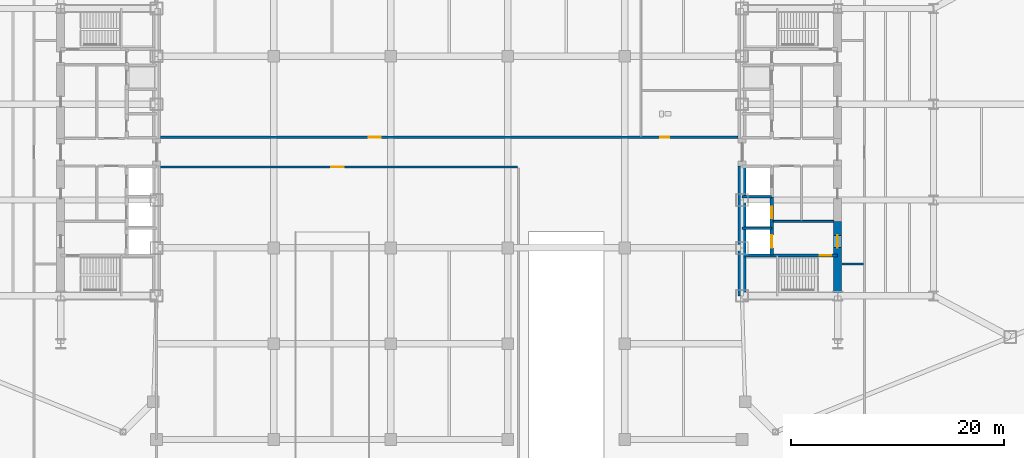
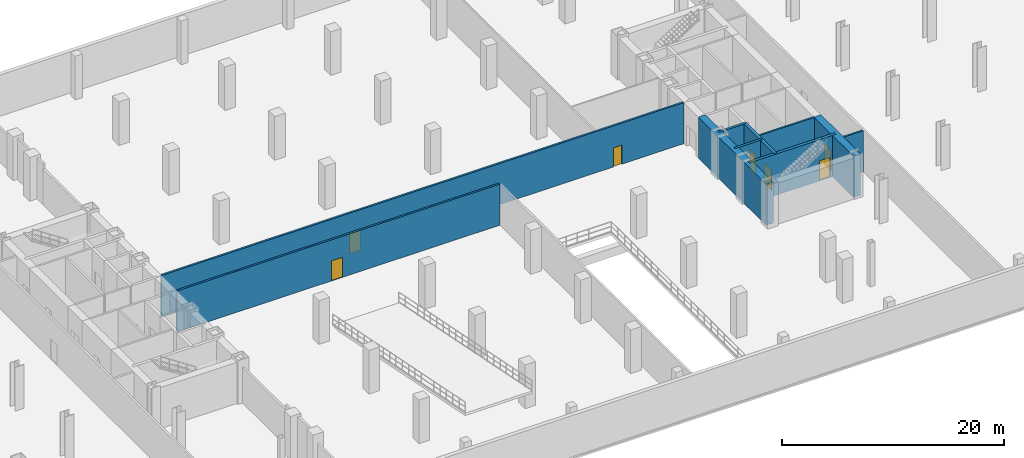
# One storey, part 12 of 18: 11 walls, 7 doors, 7 openings.
"""IFC4 building model written with IfcOpenShell, lengths in metres."""

from ifc_helpers import new_model, si_unit, direction, frame, frame_2d, origin, place, context, subcontext, project, spatial, rectangle, extrude, source, transform, mapped, material, layer, layer_set, type_object, type_shapes, element, fill, save


model = new_model("IFC4")

# Units and contexts
model_context = context("Model", 3, precision=1e-05, world=origin(), true_north=direction((0.0, 1.0)))
body_context = subcontext(model_context, "Body", "Model", "MODEL_VIEW")
ifc_project = project(units=[si_unit("LENGTHUNIT", "METRE"), si_unit("AREAUNIT", "SQUARE_METRE"), si_unit("VOLUMEUNIT", "CUBIC_METRE"), si_unit("PLANEANGLEUNIT", "RADIAN"), si_unit("MASSUNIT", "GRAM", prefix="KILO")], contexts=[model_context])

# Site, building, storey
site_placement = place(None, origin())
site = spatial("IfcSite", under=ifc_project, at=site_placement, CompositionType="ELEMENT")
building_placement = place(site_placement, origin())
building = spatial("IfcBuilding", under=site, at=building_placement, Name="Seokmaru Belvedere", CompositionType="ELEMENT")
storey_placement = place(building_placement, frame((0.0, 0.0, -4.800048828125)))
storey = spatial("IfcBuildingStorey", under=building, at=storey_placement, Name="B1", CompositionType="ELEMENT", Elevation=-4.800048828125)

# Walls
ifc_material_1 = material(Name="Fire-Rated Gypsum Shaftwall")
ifc_layer_1 = layer(ifc_material_1, 0.179931640625)
ifc_layer_set_1 = layer_set([ifc_layer_1], Name="Fire-Rated Gypsum Shaftwall")
wall_type_1 = type_object("IfcWallType", Name="Core Service Fire Partition 180", PredefinedType="PARTITIONING", material=ifc_layer_set_1)
wall_1_placement = place(storey_placement, frame((30.449951171875, -6.5, 0.0), z_axis=(0.0, 0.0, 1.0), x_axis=(1.0, 0.0, 0.0)))
element("IfcWall", 1, at=wall_1_placement, inside=storey, type_object=wall_type_1, Name="B1 East Firefighting Lobby Partition", PredefinedType="PARTITIONING", context=body_context, shape_type="SweptSolid", body=[
    extrude(rectangle(XDim=5.699951171875, YDim=0.179931640625, at=frame_2d((2.85009765625, 0.0))), origin(), (0.0, 0.0, 1.0), 4.52001953125),
])
ifc_material_2 = material(Name="Concrete C50 (50 MPa)", Category="concrete")
ifc_layer_2 = layer(ifc_material_2, 0.25)
ifc_layer_set_2 = layer_set([ifc_layer_2], Name="Concrete C50 (50 MPa)")
wall_type_2 = type_object("IfcWallType", Name="Hoistway Transverse Concrete Divider Wall 250", PredefinedType="SHEAR", material=ifc_layer_set_2)
for number, where, z_axis, x_axis, name in (
    (2, (27.5, -7.14990234375, 0.0), (0.0, 0.0, 1.0), (1.0, 0.0, 0.0), "B1 East Hoistway Divider Core Wall 1"),
    (3, (27.5, -4.199951171875, 0.0), (0.0, 0.0, 1.0), (1.0, 0.0, 0.0), "B1 East Hoistway Divider Core Wall 2"),
):
    element("IfcWall", number, at=place(storey_placement, frame(where, z_axis=z_axis, x_axis=x_axis)), inside=storey, type_object=wall_type_2, Name=name, PredefinedType="SHEAR", context=body_context, shape_type="SweptSolid", body=[
        extrude(rectangle(XDim=2.800048828125, YDim=0.25, at=frame_2d((1.39990234375, 0.0))), origin(), (0.0, 0.0, 1.0), 4.52001953125),
    ])
ifc_layer_3 = layer(ifc_material_1, 0.199951171875)
ifc_layer_set_3 = layer_set([ifc_layer_3], Name="Fire-Rated Gypsum Shaftwall")
wall_type_3 = type_object("IfcWallType", Name="Inter-Tenancy Fire Compartment Partition 200", PredefinedType="PARTITIONING", material=ifc_layer_set_3)
wall_2_placement = place(storey_placement, frame((36.8798828125, -10.5, 0.0), z_axis=(0.0, 0.0, 1.0), x_axis=(1.0, 0.0, 0.0)))
element("IfcWall", 4, at=wall_2_placement, inside=storey, type_object=wall_type_3, Name="B1 Interior Partition 002", PredefinedType="PARTITIONING", context=body_context, shape_type="SweptSolid", body=[
    extrude(rectangle(XDim=2.03515625, YDim=0.199951171875, at=frame_2d((1.017578125, 0.0))), origin(), (0.0, 0.0, 1.0), 4.52001953125),
])

# Wall, opening, door
wall_3_placement = place(storey_placement, frame((-27.1201171875, -1.39990234375, 0.0), z_axis=(0.0, 0.0, 1.0), x_axis=(1.0, 0.0, 0.0)))
wall_3 = element("IfcWall", 5, at=wall_3_placement, inside=storey, type_object=wall_type_3, Name="B1 Interior Partition 003", PredefinedType="PARTITIONING", context=body_context, shape_type="SweptSolid", body=[
    extrude(rectangle(XDim=33.53515625, YDim=0.199951171875, at=frame_2d((16.767578125, 0.0))), origin(), (0.0, 0.0, 1.0), 4.52001953125),
])
opening_1_placement = place(wall_3_placement, frame((16.044921875, 0.0, 0.0)))
opening_1 = element("IfcOpeningElement", 6, at=opening_1_placement, cuts=wall_3, Name="Opening D02", PredefinedType="OPENING", context=body_context, shape_type="SweptSolid", body=[
    extrude(rectangle(XDim=1.14990234375, YDim=2.199951171875, at=frame_2d((0.574951171875, 1.10009765625))), frame((0.0, 0.10986328125, 0.0), z_axis=(0.0, -1.0, 0.0), x_axis=(1.0, 0.0, 0.0)), (0.0, 0.0, 1.0), 0.219970703125),
])
ifc_material_3 = material(Name="Fire-Rated Steel Leaf", Category="steel")
door_type_1 = type_object("IfcDoorType", Name="Lobby and Vestibule Fire Door 1150x2200", OperationType="NOTDEFINED", PredefinedType="DOOR", material=ifc_material_3)
shared_shape_1 = source(origin(), body_context, "Body", "SweptSolid", [
    extrude(rectangle(XDim=1.14990234375, YDim=2.199951171875, at=frame_2d((0.574951171875, 1.10009765625))), frame((0.0, 0.02490234375, 0.0), z_axis=(0.0, -1.0, 0.0), x_axis=(1.0, 0.0, 0.0)), (0.0, 0.0, 1.0), 0.050048828125),
])
type_shapes(door_type_1, [shared_shape_1])
door_1_placement = place(opening_1_placement, origin())
door_1 = element("IfcDoor", 7, at=door_1_placement, inside=storey, type_object=door_type_1, Name="B1 Interior Door 003", OperationType="SINGLE_SWING_LEFT", OverallHeight=2.199951171875, OverallWidth=1.14990234375, PredefinedType="DOOR", context=body_context, shape_type="MappedRepresentation", body=[
    mapped(shared_shape_1, transform((0.0, 0.0, 0.0), scale=1.0)),
])
fill(opening_1, door_1)

# Wall, openings, doors
wall_4_placement = place(storey_placement, frame((-27.1201171875, 1.39990234375, 0.0), z_axis=(0.0, 0.0, 1.0), x_axis=(1.0, 0.0, 0.0)))
wall_4 = element("IfcWall", 8, at=wall_4_placement, inside=storey, type_object=wall_type_3, Name="B1 Interior Partition 004", PredefinedType="PARTITIONING", context=body_context, shape_type="SweptSolid", body=[
    extrude(rectangle(XDim=54.240234375, YDim=0.199951171875, at=frame_2d((27.1201171875, 0.0))), origin(), (0.0, 0.0, 1.0), 4.52001953125),
])
opening_2_placement = place(wall_4_placement, frame((19.544921875, 0.0, 0.0)))
opening_2 = element("IfcOpeningElement", 9, at=opening_2_placement, cuts=wall_4, Name="Opening D02", PredefinedType="OPENING", context=body_context, shape_type="SweptSolid", body=[
    extrude(rectangle(XDim=1.14990234375, YDim=2.199951171875, at=frame_2d((0.574951171875, 1.10009765625))), frame((0.0, 0.10986328125, 0.0), z_axis=(0.0, -1.0, 0.0), x_axis=(1.0, 0.0, 0.0)), (0.0, 0.0, 1.0), 0.219970703125),
])
opening_3_placement = place(wall_4_placement, frame((46.929931640625, 0.0, 0.0)))
opening_3 = element("IfcOpeningElement", 10, at=opening_3_placement, cuts=wall_4, Name="Opening D06", PredefinedType="OPENING", context=body_context, shape_type="SweptSolid", body=[
    extrude(rectangle(XDim=0.8798828125, YDim=2.10009765625, at=frame_2d((0.43994140625, 1.050048828125))), frame((0.0, 0.10986328125, 0.0), z_axis=(0.0, -1.0, 0.0), x_axis=(1.0, 0.0, 0.0)), (0.0, 0.0, 1.0), 0.219970703125),
])
door_2_placement = place(opening_2_placement, origin())
door_2 = element("IfcDoor", 11, at=door_2_placement, inside=storey, type_object=door_type_1, Name="B1 Interior Door 004", OperationType="SINGLE_SWING_LEFT", OverallHeight=2.199951171875, OverallWidth=1.14990234375, PredefinedType="DOOR", context=body_context, shape_type="MappedRepresentation", body=[
    mapped(shared_shape_1, transform((0.0, 0.0, 0.0), scale=1.0)),
])
fill(opening_2, door_2)
ifc_material_4 = material(Name="Engineered White Oak Timber", Category="wood")
door_type_2 = type_object("IfcDoorType", Name="Bathroom and Restroom Fire-Rated Door 880x2100", OperationType="NOTDEFINED", PredefinedType="DOOR", material=ifc_material_4)
shared_shape_2 = source(origin(), body_context, "Body", "SweptSolid", [
    extrude(rectangle(XDim=0.8798828125, YDim=2.10009765625, at=frame_2d((0.43994140625, 1.050048828125))), frame((0.0, 0.02490234375, 0.0), z_axis=(0.0, -1.0, 0.0), x_axis=(1.0, 0.0, 0.0)), (0.0, 0.0, 1.0), 0.050048828125),
])
type_shapes(door_type_2, [shared_shape_2])
door_3_placement = place(opening_3_placement, origin())
door_3 = element("IfcDoor", 12, at=door_3_placement, inside=storey, type_object=door_type_2, Name="B1 Interior Door 005", OperationType="SINGLE_SWING_RIGHT", OverallHeight=2.10009765625, OverallWidth=0.8798828125, PredefinedType="DOOR", context=body_context, shape_type="MappedRepresentation", body=[
    mapped(shared_shape_2, transform((0.0, 0.0, 0.0), scale=1.0)),
])
fill(opening_3, door_3)

# Wall, opening, door
ifc_layer_4 = layer(ifc_material_2, 0.300048828125)
ifc_layer_set_4 = layer_set([ifc_layer_4], Name="Concrete C50 (50 MPa)")
wall_type_4 = type_object("IfcWallType", Name="Internal Core Stair and Hoistway Wall 300", PredefinedType="SHEAR", material=ifc_layer_set_4)
wall_5_placement = place(storey_placement, frame((27.5, -9.699951171875, 0.0), z_axis=(0.0, 0.0, 1.0), x_axis=(1.0, 0.0, 0.0)))
wall_5 = element("IfcWall", 13, at=wall_5_placement, inside=storey, type_object=wall_type_4, Name="B1 East Stair ST-1 Enclosure Wall", PredefinedType="SHEAR", context=body_context, shape_type="SweptSolid", body=[
    extrude(rectangle(XDim=9.0, YDim=0.300048828125, at=frame_2d((4.5, 0.0))), origin(), (0.0, 0.0, 1.0), 4.52001953125),
])
opening_4_placement = place(wall_5_placement, frame((7.300048828125, 0.0, 0.0)))
opening_4 = element("IfcOpeningElement", 14, at=opening_4_placement, cuts=wall_5, Name="Opening D01", PredefinedType="OPENING", context=body_context, shape_type="SweptSolid", body=[
    extrude(rectangle(XDim=1.10009765625, YDim=2.199951171875, at=frame_2d((0.550048828125, 1.10009765625))), frame((0.0, 0.16015625, 0.0), z_axis=(0.0, -1.0, 0.0), x_axis=(1.0, 0.0, 0.0)), (0.0, 0.0, 1.0), 0.320068359375),
])
door_type_3 = type_object("IfcDoorType", Name="Special Escape Stair Smokeproof Fire Door 1100x2200", OperationType="NOTDEFINED", PredefinedType="DOOR", material=ifc_material_3)
shared_shape_3 = source(origin(), body_context, "Body", "SweptSolid", [
    extrude(rectangle(XDim=1.10009765625, YDim=2.199951171875, at=frame_2d((0.550048828125, 1.10009765625))), frame((0.0, 0.02490234375, 0.0), z_axis=(0.0, -1.0, 0.0), x_axis=(1.0, 0.0, 0.0)), (0.0, 0.0, 1.0), 0.050048828125),
])
type_shapes(door_type_3, [shared_shape_3])
door_4_placement = place(opening_4_placement, frame((1.10009765625, 0.0, 0.0), z_axis=(0.0, 0.0, 1.0), x_axis=(-1.0, 0.0, 0.0)))
door_4 = element("IfcDoor", 15, at=door_4_placement, inside=storey, type_object=door_type_3, Name="B1 East Special Escape Stair ST-1 Door", OperationType="SINGLE_SWING_RIGHT", OverallHeight=2.199951171875, OverallWidth=1.10009765625, PredefinedType="DOOR", context=body_context, shape_type="MappedRepresentation", body=[
    mapped(shared_shape_3, transform((0.0, 0.0, 0.0), scale=1.0)),
])
fill(opening_4, door_4)

wall_6_placement = place(storey_placement, frame((30.300048828125, -9.679931640625, 0.0), z_axis=(0.0, 0.0, 1.0), x_axis=(0.0, 1.0, 0.0)))
wall_6 = element("IfcWall", 16, at=wall_6_placement, inside=storey, type_object=wall_type_4, Name="B1 East Firefighting Lift Shaft Front Wall", PredefinedType="SHEAR", context=body_context, shape_type="SweptSolid", body=[
    extrude(rectangle(XDim=2.559814453125, YDim=0.300048828125, at=frame_2d((1.27978515625, 0.0))), origin(), (0.0, 0.0, 1.0), 4.52001953125),
])
opening_5_placement = place(wall_6_placement, frame((0.679931640625, 0.0, 0.0)))
opening_5 = element("IfcOpeningElement", 17, at=opening_5_placement, cuts=wall_6, Name="Opening LD2", PredefinedType="OPENING", context=body_context, shape_type="SweptSolid", body=[
    extrude(rectangle(XDim=1.199951171875, YDim=2.25, at=frame_2d((0.60009765625, 1.125))), frame((0.0, 0.16015625, 0.0), z_axis=(0.0, -1.0, 0.0), x_axis=(1.0, 0.0, 0.0)), (0.0, 0.0, 1.0), 0.320068359375),
])
ifc_material_5 = material(Name="Stainless Steel 316", Category="steel")
door_type_4 = type_object("IfcDoorType", Name="Firefighting Lift Sliding Landing Door 1200x2250", OperationType="DOUBLE_DOOR_SLIDING", PredefinedType="DOOR", material=ifc_material_5)
shared_shape_4 = source(origin(), body_context, "Body", "SweptSolid", [
    extrude(rectangle(XDim=1.199951171875, YDim=2.25, at=frame_2d((0.60009765625, 1.125))), frame((0.0, 0.02490234375, 0.0), z_axis=(0.0, -1.0, 0.0), x_axis=(1.0, 0.0, 0.0)), (0.0, 0.0, 1.0), 0.050048828125),
])
type_shapes(door_type_4, [shared_shape_4])
door_5_placement = place(opening_5_placement, origin())
door_5 = element("IfcDoor", 18, at=door_5_placement, inside=storey, type_object=door_type_4, Name="B1 East Firefighting Lift Landing Door", OperationType="DOUBLE_DOOR_SLIDING", OverallHeight=2.25, OverallWidth=1.199951171875, PredefinedType="DOOR", context=body_context, shape_type="MappedRepresentation", body=[
    mapped(shared_shape_4, transform((0.0, 0.0, 0.0), scale=1.0)),
])
fill(opening_5, door_5)

wall_7_placement = place(storey_placement, frame((30.300048828125, -7.1201171875, 0.0), z_axis=(0.0, 0.0, 1.0), x_axis=(0.0, 1.0, 0.0)))
wall_7 = element("IfcWall", 19, at=wall_7_placement, inside=storey, type_object=wall_type_4, Name="B1 East Low-Rise Lift PL-1 Front Wall", PredefinedType="SHEAR", context=body_context, shape_type="SweptSolid", body=[
    extrude(rectangle(XDim=2.920166015625, YDim=0.300048828125, at=frame_2d((1.4599609375, 0.0))), origin(), (0.0, 0.0, 1.0), 4.52001953125),
])
opening_6_placement = place(wall_7_placement, frame((0.909912109375, 0.0, 0.0)))
opening_6 = element("IfcOpeningElement", 20, at=opening_6_placement, cuts=wall_7, Name="Opening LD1", PredefinedType="OPENING", context=body_context, shape_type="SweptSolid", body=[
    extrude(rectangle(XDim=1.10009765625, YDim=2.199951171875, at=frame_2d((0.550048828125, 1.10009765625))), frame((0.0, 0.16015625, 0.0), z_axis=(0.0, -1.0, 0.0), x_axis=(1.0, 0.0, 0.0)), (0.0, 0.0, 1.0), 0.320068359375),
])
door_type_5 = type_object("IfcDoorType", Name="Passenger Lift Sliding Landing Door 1100x2200", OperationType="DOUBLE_DOOR_SLIDING", PredefinedType="DOOR", material=ifc_material_5)
shared_shape_5 = source(origin(), body_context, "Body", "SweptSolid", [
    extrude(rectangle(XDim=1.10009765625, YDim=2.199951171875, at=frame_2d((0.550048828125, 1.10009765625))), frame((0.0, 0.02490234375, 0.0), z_axis=(0.0, -1.0, 0.0), x_axis=(1.0, 0.0, 0.0)), (0.0, 0.0, 1.0), 0.050048828125),
])
type_shapes(door_type_5, [shared_shape_5])
door_6_placement = place(opening_6_placement, origin())
door_6 = element("IfcDoor", 21, at=door_6_placement, inside=storey, type_object=door_type_5, Name="B1 East Low-Rise Lift PL-1 Landing Door", OperationType="DOUBLE_DOOR_SLIDING", OverallHeight=2.199951171875, OverallWidth=1.10009765625, PredefinedType="DOOR", context=body_context, shape_type="MappedRepresentation", body=[
    mapped(shared_shape_5, transform((0.0, 0.0, 0.0), scale=1.0)),
])
fill(opening_6, door_6)

# Wall
ifc_material_6 = material(Name="Concrete C60 (60 MPa)", Category="concrete")
ifc_layer_5 = layer(ifc_material_6, 0.75)
ifc_layer_set_5 = layer_set([ifc_layer_5], Name="Concrete C60 (60 MPa)")
wall_type_5 = type_object("IfcWallType", Name="Lower Tower Reinforced Concrete Core Wall 750", PredefinedType="SHEAR", material=ifc_layer_set_5)
wall_8_placement = place(storey_placement, frame((27.5, -13.5, 0.0), z_axis=(0.0, 0.0, 1.0), x_axis=(0.0, 1.0, 0.0)))
element("IfcWall", 22, at=wall_8_placement, inside=storey, type_object=wall_type_5, Name="B1 East Portal Spine Core Wall South", PredefinedType="SHEAR", context=body_context, shape_type="SweptSolid", body=[
    extrude(rectangle(XDim=12.199951171875, YDim=0.75, at=frame_2d((6.10009765625, 0.0))), origin(), (0.0, 0.0, 1.0), 4.52001953125),
])

# Wall, opening, door
wall_9_placement = place(storey_placement, frame((36.5, -13.64990234375, 0.0), z_axis=(0.0, 0.0, 1.0), x_axis=(0.0, 1.0, 0.0)))
wall_9 = element("IfcWall", 23, at=wall_9_placement, inside=storey, type_object=wall_type_5, Name="B1 East West Core Wall FF", PredefinedType="SHEAR", context=body_context, shape_type="SweptSolid", body=[
    extrude(rectangle(XDim=7.14990234375, YDim=0.75, at=frame_2d((3.574951171875, 0.0))), origin(), (0.0, 0.0, 1.0), 4.52001953125),
])
opening_7_placement = place(wall_9_placement, frame((4.675048828125, 0.0, 0.0)))
opening_7 = element("IfcOpeningElement", 24, at=opening_7_placement, cuts=wall_9, Name="Opening D02", PredefinedType="OPENING", context=body_context, shape_type="SweptSolid", body=[
    extrude(rectangle(XDim=1.14990234375, YDim=2.199951171875, at=frame_2d((0.574951171875, 1.10009765625))), frame((0.0, 0.385009765625, 0.0), z_axis=(0.0, -1.0, 0.0), x_axis=(1.0, 0.0, 0.0)), (0.0, 0.0, 1.0), 0.77001953125),
])
door_7_placement = place(opening_7_placement, origin())
door_7 = element("IfcDoor", 25, at=door_7_placement, inside=storey, type_object=door_type_1, Name="B1 East Firefighting Lobby Door", OperationType="SINGLE_SWING_RIGHT", OverallHeight=2.199951171875, OverallWidth=1.14990234375, PredefinedType="DOOR", context=body_context, shape_type="MappedRepresentation", body=[
    mapped(shared_shape_1, transform((0.0, 0.0, 0.0), scale=1.0)),
])
fill(opening_7, door_7)

save(model, "model.ifc")
